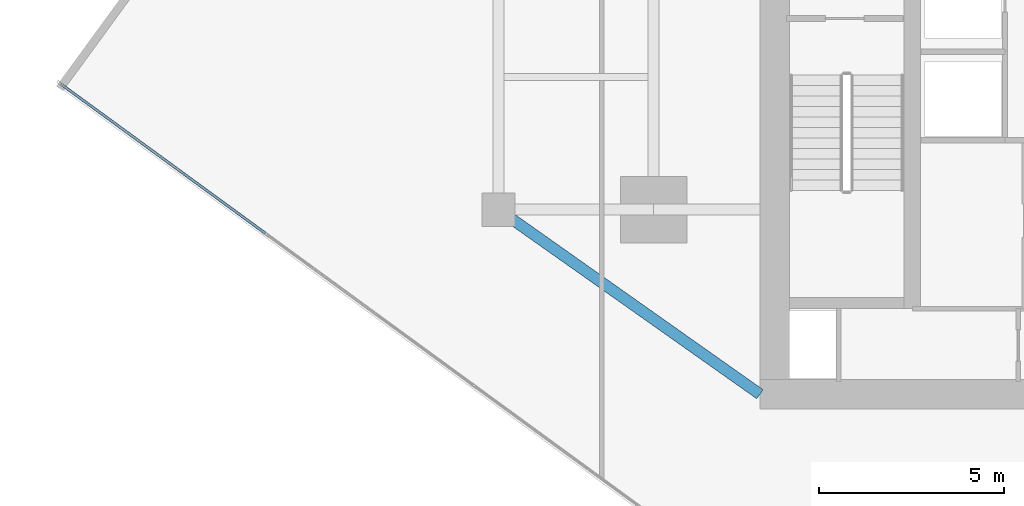
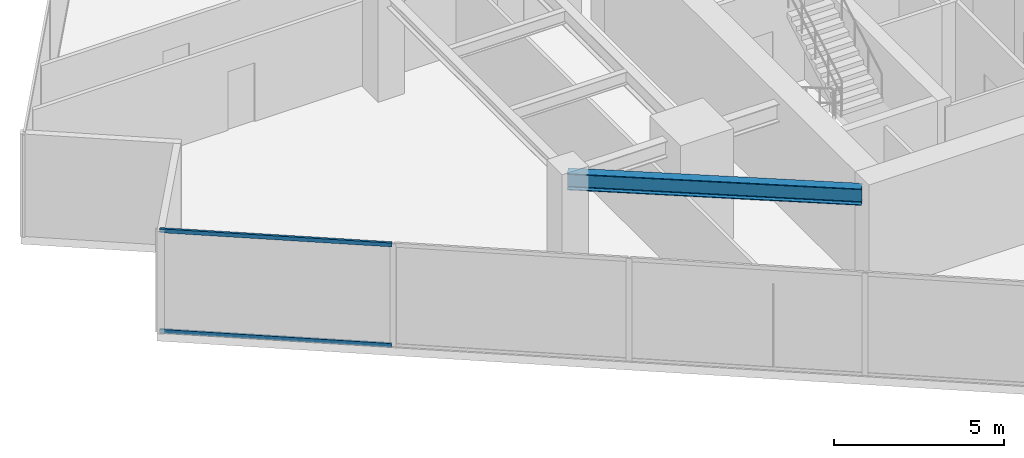
# One storey, part 4 of 25: 2 members, 1 beam, 1 element without a shape of its own.
"""IFC4 building model written with IfcOpenShell, lengths in metres."""

from ifc_helpers import new_model, si_unit, direction, frame, origin, origin_2d, place, context, subcontext, project, spatial, hollow_rectangle, i_section, extrude, source, transform, mapped, material, material_profile, profile_set, type_object, type_shapes, element, aggregate, save


model = new_model("IFC4")

# Units and contexts
model_context = context("Model", 3, precision=1e-05, world=origin(), true_north=direction((0.0, 1.0)))
body_context = subcontext(model_context, "Body", "Model", "MODEL_VIEW")
ifc_project = project(units=[si_unit("LENGTHUNIT", "METRE"), si_unit("AREAUNIT", "SQUARE_METRE"), si_unit("VOLUMEUNIT", "CUBIC_METRE"), si_unit("PLANEANGLEUNIT", "RADIAN"), si_unit("MASSUNIT", "GRAM", prefix="KILO")], contexts=[model_context])

# Site, building, storey
site_placement = place(None, origin())
site = spatial("IfcSite", under=ifc_project, at=site_placement, CompositionType="ELEMENT")
building_placement = place(site_placement, origin())
building = spatial("IfcBuilding", under=site, at=building_placement, Name="Krantzveldt Concourse Tower", CompositionType="ELEMENT")
storey_placement = place(building_placement, frame((0.0, 0.0, 193.60009765625)))
storey = spatial("IfcBuildingStorey", under=building, at=storey_placement, Name="L47", CompositionType="ELEMENT", Elevation=193.60009765625)

# Beam
ifc_material_1 = material(Name="Steel S355JR", Category="steel")
ifc_material_profile_1 = material_profile(ifc_material_1, i_section(OverallWidth=0.300048828125, OverallDepth=0.590087890625, WebThickness=0.012939453125, FlangeThickness=0.02490234375, FilletRadius=0.027099609375, at=origin_2d()), Name="Steel S355JR", Category="steel")
ifc_profile_set_1 = profile_set([ifc_material_profile_1], Name="Steel S355JR - HEA 600")
beam_type = type_object("IfcBeamType", Name="BM-B-HEA600", PredefinedType="BEAM", material=ifc_profile_set_1)
shared_shape_1 = source(origin(), body_context, "Body", "SweptSolid", [
    extrude(i_section(OverallWidth=0.300048828125, OverallDepth=0.590087890625, WebThickness=0.012939453125, FlangeThickness=0.02490234375, FilletRadius=0.027099609375, at=origin_2d()), origin(), (0.0, 0.0, 1.0), 8.667724609375),
])
type_shapes(beam_type, [shared_shape_1])
beam_placement = place(storey_placement, frame((21.0, 15.89990234375, 3.375), z_axis=(0.81684294656, -0.576860122261, 0.0), x_axis=(0.576860122261, 0.81684294656, 0.0)))
element("IfcBeam", 1, at=beam_placement, inside=storey, type_object=beam_type, Name="L47 Tower Girder BR-CSW", PredefinedType="BEAM", context=body_context, shape_type="MappedRepresentation", body=[
    mapped(shared_shape_1, transform((0.0, 0.0, 0.0), x_axis=(1.0, 0.0, 0.0), y_axis=(0.0, 1.0, 0.0), z_axis=(0.0, 0.0, 1.0), scale=1.0)),
])

# Curtain wall, members
ifc_material_2 = material(Name="Anodised aluminium 6063-T6", Category="aluminium")
curtain_wall_type = type_object("IfcCurtainWallType", Name="CW3", PredefinedType="USERDEFINED", material=ifc_material_2)
curtain_wall_placement = place(storey_placement, origin())
curtain_wall = element("IfcCurtainWall", 2, at=curtain_wall_placement, inside=storey, type_object=curtain_wall_type, Name="CW-L47-F04", ObjectType="UNITISED CURTAIN WALL", PredefinedType="USERDEFINED")
ifc_material_profile_2 = material_profile(ifc_material_2, hollow_rectangle(XDim=0.070068359375, YDim=0.139892578125, WallThickness=0.0048828125, at=origin_2d()), Name="Anodised aluminium 6063-T6", Category="aluminium")
ifc_profile_set_2 = profile_set([ifc_material_profile_2], Name="Anodised aluminium 6063-T6 - ALU-TRAN 140x70x5")
member_type = type_object("IfcMemberType", Name="CW-TRN-150", PredefinedType="USERDEFINED", material=ifc_profile_set_2)
shared_shape_2 = source(origin(), body_context, "Body", "SweptSolid", [
    extrude(hollow_rectangle(XDim=0.070068359375, YDim=0.139892578125, WallThickness=0.0048828125, at=origin_2d()), origin(), (0.0, 0.0, 1.0), 6.85498046875),
])
type_shapes(member_type, [shared_shape_2])
member_1_placement = place(storey_placement, frame((9.14404296875, 19.30029296875, 0.034912109375), z_axis=(0.807715314252, -0.589572702153, 0.0), x_axis=(0.589572702153, 0.807715314252, 0.0)))
member_1 = element("IfcMember", 3, at=member_1_placement, type_object=member_type, Name="CW-Z34 transom 1.1", ObjectType="TRANSOM", PredefinedType="USERDEFINED", context=body_context, shape_type="MappedRepresentation", body=[
    mapped(shared_shape_2, transform((0.0, 0.0, 0.0), x_axis=(1.0, 0.0, 0.0), y_axis=(0.0, 1.0, 0.0), z_axis=(0.0, 0.0, 1.0), scale=1.0)),
])
member_2_placement = place(storey_placement, frame((9.14404296875, 19.30029296875, 3.635009765625), z_axis=(0.807715314252, -0.589572702153, 0.0), x_axis=(0.589572702153, 0.807715314252, 0.0)))
member_2 = element("IfcMember", 4, at=member_2_placement, type_object=member_type, Name="CW-Z34 transom 1.2", ObjectType="TRANSOM", PredefinedType="USERDEFINED", context=body_context, shape_type="MappedRepresentation", body=[
    mapped(shared_shape_2, transform((0.0, 0.0, 0.0), x_axis=(1.0, 0.0, 0.0), y_axis=(0.0, 1.0, 0.0), z_axis=(0.0, 0.0, 1.0), scale=1.0)),
])
aggregate(curtain_wall, [member_1, member_2])

save(model, "model.ifc")
